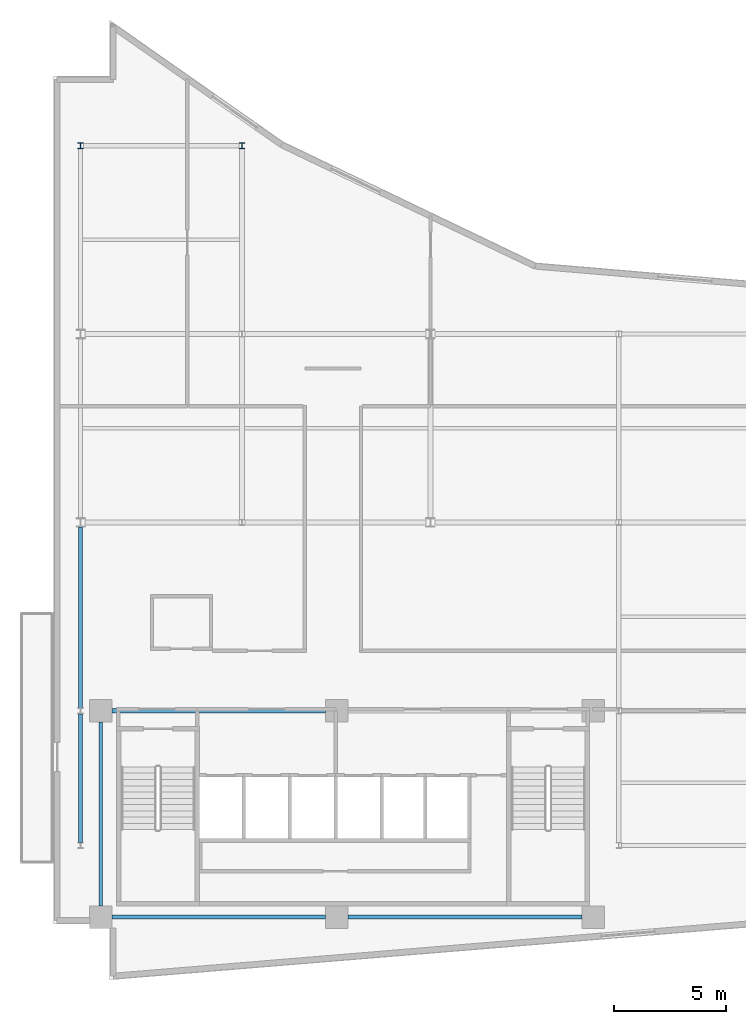
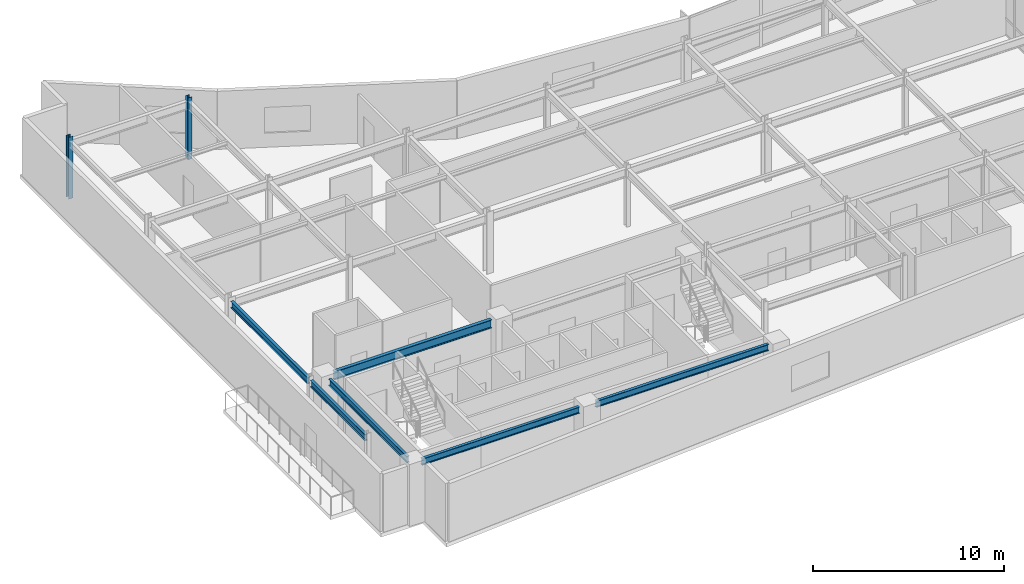
# One storey, part 3 of 16: 6 beams, 2 columns.
"""IFC4 building model written with IfcOpenShell, lengths in metres."""

from ifc_helpers import new_model, si_unit, direction, frame, origin, origin_2d, place, context, subcontext, project, spatial, i_section, extrude, material, material_profile, profile_set, type_object, element, save


model = new_model("IFC4")

# Units and contexts
model_context = context("Model", 3, precision=1e-05, world=origin(), true_north=direction((0.0, 1.0)))
body_context = subcontext(model_context, "Body", "Model", "MODEL_VIEW")
ifc_project = project(units=[si_unit("LENGTHUNIT", "METRE"), si_unit("AREAUNIT", "SQUARE_METRE"), si_unit("VOLUMEUNIT", "CUBIC_METRE"), si_unit("PLANEANGLEUNIT", "RADIAN"), si_unit("MASSUNIT", "GRAM", prefix="KILO")], contexts=[model_context])

# Site, building, storey
site_placement = place(None, origin())
site = spatial("IfcSite", under=ifc_project, at=site_placement, CompositionType="ELEMENT")
building_placement = place(site_placement, origin())
building = spatial("IfcBuilding", under=site, at=building_placement, Name="Varnakote Quay Hospital", CompositionType="ELEMENT")
storey_placement = place(building_placement, frame((0.0, 0.0, 180.25)))
storey = spatial("IfcBuildingStorey", under=building, at=storey_placement, Name="L44", CompositionType="ELEMENT", Elevation=180.25)

# Columns
ifc_material_1 = material(Name="Structural steel AS/NZS 3679.1 Grade 350 L0 (fy 340 MPa)", Category="steel")
ifc_material_profile_1 = material_profile(ifc_material_1, i_section(OverallWidth=0.256103515625, OverallDepth=0.260009765625, WebThickness=0.010498046875, FlangeThickness=0.017333984375, FilletRadius=0.0126953125, at=origin_2d()), Name="250UC89.5")
ifc_profile_set_1 = profile_set([ifc_material_profile_1], Name="Structural steel AS/NZS 3679.1 Grade 350 L0 (fy 340 MPa)")
column_type = type_object("IfcColumnType", Name="COL-STL-250UC89-5", PredefinedType="COLUMN", material=ifc_profile_set_1)
for number, where, z_axis, x_axis, name in (
    (1, (1.199951171875, 37.199951171875, 0.0), (0.0, 0.0, 1.0), (1.0, 0.0, 0.0), "L44 Structural Column C-1-37"),
    (2, (8.39990234375, 37.199951171875, 0.0), (0.0, 0.0, 1.0), (1.0, 0.0, 0.0), "L44 Structural Column C-8-37"),
):
    element("IfcColumn", number, at=place(storey_placement, frame(where, z_axis=z_axis, x_axis=x_axis)), inside=storey, type_object=column_type, Name=name, PredefinedType="COLUMN", context=body_context, shape_type="SweptSolid", body=[
        extrude(i_section(OverallWidth=0.256103515625, OverallDepth=0.260009765625, WebThickness=0.010498046875, FlangeThickness=0.017333984375, FilletRadius=0.0126953125, at=origin_2d()), origin(), (0.0, 0.0, 1.0), 3.949951171875),
    ])

# Beams
ifc_material_2 = material(Name="Structural steel AS/NZS 3679.1 Grade 350 L0 (fy 340 MPa)", Category="steel")
ifc_material_profile_2 = material_profile(ifc_material_2, i_section(OverallWidth=0.208984375, OverallDepth=0.532958984375, WebThickness=0.01025390625, FlangeThickness=0.015625, FilletRadius=0.013916015625, at=origin_2d()), Name="530UB92.4")
ifc_profile_set_2 = profile_set([ifc_material_profile_2], Name="Structural steel AS/NZS 3679.1 Grade 350 L0 (fy 340 MPa)")
beam_type_1 = type_object("IfcBeamType", Name="BM-STL-530UB92-4", PredefinedType="BEAM", material=ifc_profile_set_2)
beam_1_placement = place(storey_placement, frame((2.60009765625, 12.0, 3.443603515625), z_axis=(1.0, 0.0, 0.0), x_axis=(0.0, 1.0, 0.0)))
element("IfcBeam", 3, at=beam_1_placement, inside=storey, type_object=beam_type_1, Name="L44 Primary Floor Beam", PredefinedType="BEAM", context=body_context, shape_type="SweptSolid", body=[
    extrude(i_section(OverallWidth=0.208984375, OverallDepth=0.532958984375, WebThickness=0.01025390625, FlangeThickness=0.015625, FilletRadius=0.013916015625, at=origin_2d()), origin(), (0.0, 0.0, 1.0), 9.52001953125),
])
ifc_material_3 = material(Name="Structural steel AS/NZS 3679.1 Grade 350 L0 (fy 340 MPa)", Category="steel")
ifc_material_profile_3 = material_profile(ifc_material_3, i_section(OverallWidth=0.177978515625, OverallDepth=0.403076171875, WebThickness=0.007568359375, FlangeThickness=0.010986328125, FilletRadius=0.011474609375, at=origin_2d()), Name="410UB53.7")
ifc_profile_set_3 = profile_set([ifc_material_profile_3], Name="Structural steel AS/NZS 3679.1 Grade 350 L0 (fy 340 MPa)")
beam_type_2 = type_object("IfcBeamType", Name="SPN-STL-410UB53-7", PredefinedType="SPANDREL", material=ifc_profile_set_3)
beam_2_placement = place(storey_placement, frame((1.199951171875, 6.1298828125, 3.508544921875), z_axis=(0.0, 1.0, 0.0), x_axis=(-1.0, 0.0, 0.0)))
element("IfcBeam", 4, at=beam_2_placement, inside=storey, type_object=beam_type_2, Name="L44 Perimeter Spandrel Beam", PredefinedType="SPANDREL", context=body_context, shape_type="SweptSolid", body=[
    extrude(i_section(OverallWidth=0.177978515625, OverallDepth=0.403076171875, WebThickness=0.007568359375, FlangeThickness=0.010986328125, FilletRadius=0.011474609375, at=origin_2d()), origin(), (0.0, 0.0, 1.0), 5.740234375),
])
beam_3_placement = place(storey_placement, frame((1.199951171875, 12.1298828125, 3.508544921875), z_axis=(0.0, 1.0, 0.0), x_axis=(-1.0, 0.0, 0.0)))
element("IfcBeam", 5, at=beam_3_placement, inside=storey, type_object=beam_type_2, Name="L44 Perimeter Spandrel Beam", PredefinedType="SPANDREL", context=body_context, shape_type="SweptSolid", body=[
    extrude(i_section(OverallWidth=0.177978515625, OverallDepth=0.403076171875, WebThickness=0.007568359375, FlangeThickness=0.010986328125, FilletRadius=0.011474609375, at=origin_2d()), origin(), (0.0, 0.0, 1.0), 8.068115234375),
])
beam_4_placement = place(storey_placement, frame((2.10009765625, 3.300048828125, 3.508544921875), z_axis=(0.0, 1.0, 0.0), x_axis=(-1.0, 0.0, 0.0)))
element("IfcBeam", 6, at=beam_4_placement, inside=storey, type_object=beam_type_2, Name="L44 Perimeter Spandrel Beam", PredefinedType="SPANDREL", context=body_context, shape_type="SweptSolid", body=[
    extrude(i_section(OverallWidth=0.177978515625, OverallDepth=0.403076171875, WebThickness=0.007568359375, FlangeThickness=0.010986328125, FilletRadius=0.011474609375, at=origin_2d()), origin(), (0.0, 0.0, 1.0), 8.199951171875),
])
ifc_material_4 = material(Name="Structural steel AS/NZS 3679.1 Grade 350 L0 (fy 340 MPa)", Category="steel")
ifc_material_profile_4 = material_profile(ifc_material_4, i_section(OverallWidth=0.177978515625, OverallDepth=0.406005859375, WebThickness=0.0078125, FlangeThickness=0.0126953125, FilletRadius=0.011474609375, at=origin_2d()), Name="410UB59.7")
ifc_profile_set_4 = profile_set([ifc_material_profile_4], Name="Structural steel AS/NZS 3679.1 Grade 350 L0 (fy 340 MPa)")
beam_type_3 = type_object("IfcBeamType", Name="SPN-STL-410UB59-7", PredefinedType="SPANDREL", material=ifc_profile_set_4)
beam_5_placement = place(storey_placement, frame((2.60009765625, 2.800048828125, 3.507080078125), z_axis=(1.0, 0.0, 0.0), x_axis=(0.0, 1.0, 0.0)))
element("IfcBeam", 7, at=beam_5_placement, inside=storey, type_object=beam_type_3, Name="L44 Perimeter Spandrel Beam", PredefinedType="SPANDREL", context=body_context, shape_type="SweptSolid", body=[
    extrude(i_section(OverallWidth=0.177978515625, OverallDepth=0.406005859375, WebThickness=0.0078125, FlangeThickness=0.0126953125, FilletRadius=0.011474609375, at=origin_2d()), origin(), (0.0, 0.0, 1.0), 9.52001953125),
])
beam_6_placement = place(storey_placement, frame((13.1201171875, 2.800048828125, 3.507080078125), z_axis=(1.0, 0.0, 0.0), x_axis=(0.0, 1.0, 0.0)))
element("IfcBeam", 8, at=beam_6_placement, inside=storey, type_object=beam_type_3, Name="L44 Perimeter Spandrel Beam", PredefinedType="SPANDREL", context=body_context, shape_type="SweptSolid", body=[
    extrude(i_section(OverallWidth=0.177978515625, OverallDepth=0.406005859375, WebThickness=0.0078125, FlangeThickness=0.0126953125, FilletRadius=0.011474609375, at=origin_2d()), origin(), (0.0, 0.0, 1.0), 10.429931640625),
])

save(model, "model.ifc")
